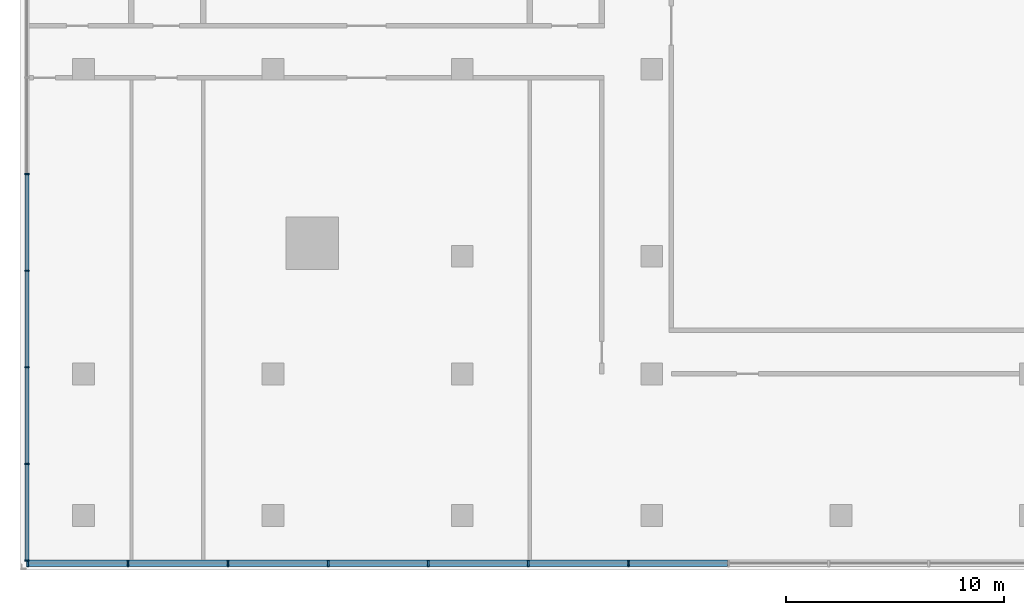
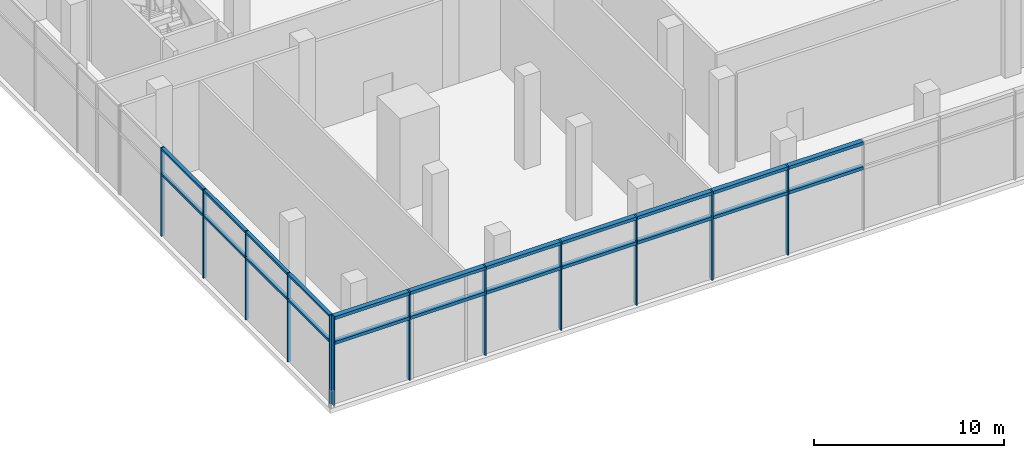
# One storey, part 2 of 21: 34 members, 2 elements without a shape of their own.
"""IFC4 building model written with IfcOpenShell, lengths in metres."""

from ifc_helpers import new_model, si_unit, direction, frame, origin, origin_2d, place, context, subcontext, project, spatial, rectangle, extrude, material, material_profile, profile_set, type_object, element, aggregate, save


model = new_model("IFC4")

# Units and contexts
model_context = context("Model", 3, precision=1e-05, world=origin(), true_north=direction((0.0, 1.0)))
body_context = subcontext(model_context, "Body", "Model", "MODEL_VIEW")
ifc_project = project(units=[si_unit("LENGTHUNIT", "METRE"), si_unit("AREAUNIT", "SQUARE_METRE"), si_unit("VOLUMEUNIT", "CUBIC_METRE"), si_unit("PLANEANGLEUNIT", "RADIAN"), si_unit("MASSUNIT", "GRAM", prefix="KILO")], contexts=[model_context])

# Site, building, storey
site_placement = place(None, origin())
site = spatial("IfcSite", under=ifc_project, at=site_placement, CompositionType="ELEMENT")
building_placement = place(site_placement, origin())
building = spatial("IfcBuilding", under=site, at=building_placement, Name="Bicima Exchange Tower", CompositionType="ELEMENT")
storey_placement = place(building_placement, frame((0.0, 0.0, 8.0)))
storey = spatial("IfcBuildingStorey", under=building, at=storey_placement, Name="L01", CompositionType="ELEMENT", Elevation=8.0)

# Curtain wall, members
ifc_material_1 = material(Name="Stainless steel", Category="steel")
curtain_wall_type_1 = type_object("IfcCurtainWallType", Name="Hall structural glazing", PredefinedType="NOTDEFINED", material=ifc_material_1)
curtain_wall_1_placement = place(storey_placement, origin())
curtain_wall_1 = element("IfcCurtainWall", 1, at=curtain_wall_1_placement, inside=storey, type_object=curtain_wall_type_1, Name="Podium glazing L01 south 1", PredefinedType="NOTDEFINED")
ifc_material_profile_1 = material_profile(ifc_material_1, rectangle(XDim=0.300048828125, YDim=0.080078125, at=origin_2d()))
ifc_profile_set_1 = profile_set([ifc_material_profile_1], Name="Stainless steel")
member_type_1 = type_object("IfcMemberType", Name="Hall structural glazing mullion 80 x 300", PredefinedType="MULLION", material=ifc_profile_set_1)
member_1_placement = place(storey_placement, frame((-46.06005859375, -53.699951171875, 0.0), z_axis=(0.0, 0.0, 1.0), x_axis=(0.0, 1.0, 0.0)))
member_1 = element("IfcMember", 2, at=member_1_placement, type_object=member_type_1, Name="Hall structural glazing mullion 1", PredefinedType="MULLION", context=body_context, shape_type="SweptSolid", body=[
    extrude(rectangle(XDim=0.300048828125, YDim=0.080078125, at=origin_2d()), origin(), (0.0, 0.0, 1.0), 5.699951171875),
])
member_2_placement = place(storey_placement, frame((-41.46142578125, -53.699951171875, 0.0), z_axis=(0.0, 0.0, 1.0), x_axis=(0.0, 1.0, 0.0)))
member_2 = element("IfcMember", 3, at=member_2_placement, type_object=member_type_1, Name="Hall structural glazing mullion 2", PredefinedType="MULLION", context=body_context, shape_type="SweptSolid", body=[
    extrude(rectangle(XDim=0.300048828125, YDim=0.080078125, at=origin_2d()), origin(), (0.0, 0.0, 1.0), 5.699951171875),
])
member_3_placement = place(storey_placement, frame((-36.863037109375, -53.699951171875, 0.0), z_axis=(0.0, 0.0, 1.0), x_axis=(0.0, 1.0, 0.0)))
member_3 = element("IfcMember", 4, at=member_3_placement, type_object=member_type_1, Name="Hall structural glazing mullion 3", PredefinedType="MULLION", context=body_context, shape_type="SweptSolid", body=[
    extrude(rectangle(XDim=0.300048828125, YDim=0.080078125, at=origin_2d()), origin(), (0.0, 0.0, 1.0), 5.699951171875),
])
member_4_placement = place(storey_placement, frame((-32.264404296875, -53.699951171875, 0.0), z_axis=(0.0, 0.0, 1.0), x_axis=(0.0, 1.0, 0.0)))
member_4 = element("IfcMember", 5, at=member_4_placement, type_object=member_type_1, Name="Hall structural glazing mullion 4", PredefinedType="MULLION", context=body_context, shape_type="SweptSolid", body=[
    extrude(rectangle(XDim=0.300048828125, YDim=0.080078125, at=origin_2d()), origin(), (0.0, 0.0, 1.0), 5.699951171875),
])
member_5_placement = place(storey_placement, frame((-27.666015625, -53.699951171875, 0.0), z_axis=(0.0, 0.0, 1.0), x_axis=(0.0, 1.0, 0.0)))
member_5 = element("IfcMember", 6, at=member_5_placement, type_object=member_type_1, Name="Hall structural glazing mullion 5", PredefinedType="MULLION", context=body_context, shape_type="SweptSolid", body=[
    extrude(rectangle(XDim=0.300048828125, YDim=0.080078125, at=origin_2d()), origin(), (0.0, 0.0, 1.0), 5.699951171875),
])
member_6_placement = place(storey_placement, frame((-23.0673828125, -53.699951171875, 0.0), z_axis=(0.0, 0.0, 1.0), x_axis=(0.0, 1.0, 0.0)))
member_6 = element("IfcMember", 7, at=member_6_placement, type_object=member_type_1, Name="Hall structural glazing mullion 6", PredefinedType="MULLION", context=body_context, shape_type="SweptSolid", body=[
    extrude(rectangle(XDim=0.300048828125, YDim=0.080078125, at=origin_2d()), origin(), (0.0, 0.0, 1.0), 5.699951171875),
])
member_7_placement = place(storey_placement, frame((-18.468994140625, -53.699951171875, 0.0), z_axis=(0.0, 0.0, 1.0), x_axis=(0.0, 1.0, 0.0)))
member_7 = element("IfcMember", 8, at=member_7_placement, type_object=member_type_1, Name="Hall structural glazing mullion 7", PredefinedType="MULLION", context=body_context, shape_type="SweptSolid", body=[
    extrude(rectangle(XDim=0.300048828125, YDim=0.080078125, at=origin_2d()), origin(), (0.0, 0.0, 1.0), 5.699951171875),
])
ifc_material_profile_2 = material_profile(ifc_material_1, rectangle(XDim=0.300048828125, YDim=0.199951171875, at=origin_2d()))
ifc_profile_set_2 = profile_set([ifc_material_profile_2], Name="Stainless steel")
member_type_2 = type_object("IfcMemberType", Name="Hall structural glazing transom 200 x 300", PredefinedType="USERDEFINED", material=ifc_profile_set_2)
member_8_placement = place(storey_placement, frame((-46.02001953125, -53.699951171875, 4.0), z_axis=(1.0, 0.0, 0.0), x_axis=(0.0, 1.0, 0.0)))
member_8 = element("IfcMember", 9, at=member_8_placement, type_object=member_type_2, Name="Hall structural glazing transom 1.1", ObjectType="TRANSOM", PredefinedType="USERDEFINED", context=body_context, shape_type="SweptSolid", body=[
    extrude(rectangle(XDim=0.300048828125, YDim=0.199951171875, at=origin_2d()), origin(), (0.0, 0.0, 1.0), 4.5185546875),
])
member_9_placement = place(storey_placement, frame((-46.02001953125, -53.699951171875, 5.60009765625), z_axis=(1.0, 0.0, 0.0), x_axis=(0.0, 1.0, 0.0)))
member_9 = element("IfcMember", 10, at=member_9_placement, type_object=member_type_2, Name="Hall structural glazing transom 1.2", ObjectType="TRANSOM", PredefinedType="USERDEFINED", context=body_context, shape_type="SweptSolid", body=[
    extrude(rectangle(XDim=0.300048828125, YDim=0.199951171875, at=origin_2d()), origin(), (0.0, 0.0, 1.0), 4.5185546875),
])
member_10_placement = place(storey_placement, frame((-41.42138671875, -53.699951171875, 4.0), z_axis=(1.0, 0.0, 0.0), x_axis=(0.0, 1.0, 0.0)))
member_10 = element("IfcMember", 11, at=member_10_placement, type_object=member_type_2, Name="Hall structural glazing transom 2.1", ObjectType="TRANSOM", PredefinedType="USERDEFINED", context=body_context, shape_type="SweptSolid", body=[
    extrude(rectangle(XDim=0.300048828125, YDim=0.199951171875, at=origin_2d()), origin(), (0.0, 0.0, 1.0), 4.518310546875),
])
member_11_placement = place(storey_placement, frame((-41.42138671875, -53.699951171875, 5.60009765625), z_axis=(1.0, 0.0, 0.0), x_axis=(0.0, 1.0, 0.0)))
member_11 = element("IfcMember", 12, at=member_11_placement, type_object=member_type_2, Name="Hall structural glazing transom 2.2", ObjectType="TRANSOM", PredefinedType="USERDEFINED", context=body_context, shape_type="SweptSolid", body=[
    extrude(rectangle(XDim=0.300048828125, YDim=0.199951171875, at=origin_2d()), origin(), (0.0, 0.0, 1.0), 4.518310546875),
])
member_12_placement = place(storey_placement, frame((-36.822998046875, -53.699951171875, 4.0), z_axis=(1.0, 0.0, 0.0), x_axis=(0.0, 1.0, 0.0)))
member_12 = element("IfcMember", 13, at=member_12_placement, type_object=member_type_2, Name="Hall structural glazing transom 3.1", ObjectType="TRANSOM", PredefinedType="USERDEFINED", context=body_context, shape_type="SweptSolid", body=[
    extrude(rectangle(XDim=0.300048828125, YDim=0.199951171875, at=origin_2d()), origin(), (0.0, 0.0, 1.0), 4.5185546875),
])
member_13_placement = place(storey_placement, frame((-36.822998046875, -53.699951171875, 5.60009765625), z_axis=(1.0, 0.0, 0.0), x_axis=(0.0, 1.0, 0.0)))
member_13 = element("IfcMember", 14, at=member_13_placement, type_object=member_type_2, Name="Hall structural glazing transom 3.2", ObjectType="TRANSOM", PredefinedType="USERDEFINED", context=body_context, shape_type="SweptSolid", body=[
    extrude(rectangle(XDim=0.300048828125, YDim=0.199951171875, at=origin_2d()), origin(), (0.0, 0.0, 1.0), 4.5185546875),
])
member_14_placement = place(storey_placement, frame((-32.224609375, -53.699951171875, 4.0), z_axis=(1.0, 0.0, 0.0), x_axis=(0.0, 1.0, 0.0)))
member_14 = element("IfcMember", 15, at=member_14_placement, type_object=member_type_2, Name="Hall structural glazing transom 4.1", ObjectType="TRANSOM", PredefinedType="USERDEFINED", context=body_context, shape_type="SweptSolid", body=[
    extrude(rectangle(XDim=0.300048828125, YDim=0.199951171875, at=origin_2d()), origin(), (0.0, 0.0, 1.0), 4.5185546875),
])
member_15_placement = place(storey_placement, frame((-32.224609375, -53.699951171875, 5.60009765625), z_axis=(1.0, 0.0, 0.0), x_axis=(0.0, 1.0, 0.0)))
member_15 = element("IfcMember", 16, at=member_15_placement, type_object=member_type_2, Name="Hall structural glazing transom 4.2", ObjectType="TRANSOM", PredefinedType="USERDEFINED", context=body_context, shape_type="SweptSolid", body=[
    extrude(rectangle(XDim=0.300048828125, YDim=0.199951171875, at=origin_2d()), origin(), (0.0, 0.0, 1.0), 4.5185546875),
])
member_16_placement = place(storey_placement, frame((-27.6259765625, -53.699951171875, 4.0), z_axis=(1.0, 0.0, 0.0), x_axis=(0.0, 1.0, 0.0)))
member_16 = element("IfcMember", 17, at=member_16_placement, type_object=member_type_2, Name="Hall structural glazing transom 5.1", ObjectType="TRANSOM", PredefinedType="USERDEFINED", context=body_context, shape_type="SweptSolid", body=[
    extrude(rectangle(XDim=0.300048828125, YDim=0.199951171875, at=origin_2d()), origin(), (0.0, 0.0, 1.0), 4.5185546875),
])
member_17_placement = place(storey_placement, frame((-27.6259765625, -53.699951171875, 5.60009765625), z_axis=(1.0, 0.0, 0.0), x_axis=(0.0, 1.0, 0.0)))
member_17 = element("IfcMember", 18, at=member_17_placement, type_object=member_type_2, Name="Hall structural glazing transom 5.2", ObjectType="TRANSOM", PredefinedType="USERDEFINED", context=body_context, shape_type="SweptSolid", body=[
    extrude(rectangle(XDim=0.300048828125, YDim=0.199951171875, at=origin_2d()), origin(), (0.0, 0.0, 1.0), 4.5185546875),
])
member_18_placement = place(storey_placement, frame((-23.027587890625, -53.699951171875, 4.0), z_axis=(1.0, 0.0, 0.0), x_axis=(0.0, 1.0, 0.0)))
member_18 = element("IfcMember", 19, at=member_18_placement, type_object=member_type_2, Name="Hall structural glazing transom 6.1", ObjectType="TRANSOM", PredefinedType="USERDEFINED", context=body_context, shape_type="SweptSolid", body=[
    extrude(rectangle(XDim=0.300048828125, YDim=0.199951171875, at=origin_2d()), origin(), (0.0, 0.0, 1.0), 4.5185546875),
])
member_19_placement = place(storey_placement, frame((-23.027587890625, -53.699951171875, 5.60009765625), z_axis=(1.0, 0.0, 0.0), x_axis=(0.0, 1.0, 0.0)))
member_19 = element("IfcMember", 20, at=member_19_placement, type_object=member_type_2, Name="Hall structural glazing transom 6.2", ObjectType="TRANSOM", PredefinedType="USERDEFINED", context=body_context, shape_type="SweptSolid", body=[
    extrude(rectangle(XDim=0.300048828125, YDim=0.199951171875, at=origin_2d()), origin(), (0.0, 0.0, 1.0), 4.5185546875),
])
member_20_placement = place(storey_placement, frame((-18.428955078125, -53.699951171875, 4.0), z_axis=(1.0, 0.0, 0.0), x_axis=(0.0, 1.0, 0.0)))
member_20 = element("IfcMember", 21, at=member_20_placement, type_object=member_type_2, Name="Hall structural glazing transom 7.1", ObjectType="TRANSOM", PredefinedType="USERDEFINED", context=body_context, shape_type="SweptSolid", body=[
    extrude(rectangle(XDim=0.300048828125, YDim=0.199951171875, at=origin_2d()), origin(), (0.0, 0.0, 1.0), 4.5185546875),
])
member_21_placement = place(storey_placement, frame((-18.428955078125, -53.699951171875, 5.60009765625), z_axis=(1.0, 0.0, 0.0), x_axis=(0.0, 1.0, 0.0)))
member_21 = element("IfcMember", 22, at=member_21_placement, type_object=member_type_2, Name="Hall structural glazing transom 7.2", ObjectType="TRANSOM", PredefinedType="USERDEFINED", context=body_context, shape_type="SweptSolid", body=[
    extrude(rectangle(XDim=0.300048828125, YDim=0.199951171875, at=origin_2d()), origin(), (0.0, 0.0, 1.0), 4.5185546875),
])
aggregate(curtain_wall_1, [member_1, member_2, member_3, member_4, member_5, member_6, member_7, member_8, member_9, member_10, member_11, member_12, member_13, member_14, member_15, member_16, member_17, member_18, member_19, member_20, member_21])

ifc_material_2 = material(Name="Anodised bronze aluminium", Category="aluminium")
curtain_wall_type_2 = type_object("IfcCurtainWallType", Name="Lobby glazing", PredefinedType="NOTDEFINED", material=ifc_material_2)
curtain_wall_2_placement = place(storey_placement, origin())
curtain_wall_2 = element("IfcCurtainWall", 23, at=curtain_wall_2_placement, inside=storey, type_object=curtain_wall_type_2, Name="Podium glazing L01 west 1", PredefinedType="NOTDEFINED")
ifc_material_profile_3 = material_profile(ifc_material_2, rectangle(XDim=0.199951171875, YDim=0.06005859375, at=origin_2d()))
ifc_profile_set_3 = profile_set([ifc_material_profile_3], Name="Anodised bronze aluminium")
member_type_3 = type_object("IfcMemberType", Name="Lobby glazing mullion 60 x 200", PredefinedType="MULLION", material=ifc_profile_set_3)
member_22_placement = place(storey_placement, frame((-46.10009765625, -35.8232421875, 0.0), z_axis=(0.0, 0.0, 1.0), x_axis=(1.0, 0.0, 0.0)))
member_22 = element("IfcMember", 24, at=member_22_placement, type_object=member_type_3, Name="Lobby glazing mullion 9", PredefinedType="MULLION", context=body_context, shape_type="SweptSolid", body=[
    extrude(rectangle(XDim=0.199951171875, YDim=0.06005859375, at=origin_2d()), origin(), (0.0, 0.0, 1.0), 5.699951171875),
])
member_23_placement = place(storey_placement, frame((-46.10009765625, -40.260009765625, 0.0), z_axis=(0.0, 0.0, 1.0), x_axis=(1.0, 0.0, 0.0)))
member_23 = element("IfcMember", 25, at=member_23_placement, type_object=member_type_3, Name="Lobby glazing mullion 10", PredefinedType="MULLION", context=body_context, shape_type="SweptSolid", body=[
    extrude(rectangle(XDim=0.199951171875, YDim=0.06005859375, at=origin_2d()), origin(), (0.0, 0.0, 1.0), 5.699951171875),
])
member_24_placement = place(storey_placement, frame((-46.10009765625, -44.69677734375, 0.0), z_axis=(0.0, 0.0, 1.0), x_axis=(1.0, 0.0, 0.0)))
member_24 = element("IfcMember", 26, at=member_24_placement, type_object=member_type_3, Name="Lobby glazing mullion 11", PredefinedType="MULLION", context=body_context, shape_type="SweptSolid", body=[
    extrude(rectangle(XDim=0.199951171875, YDim=0.06005859375, at=origin_2d()), origin(), (0.0, 0.0, 1.0), 5.699951171875),
])
member_25_placement = place(storey_placement, frame((-46.10009765625, -49.13330078125, 0.0), z_axis=(0.0, 0.0, 1.0), x_axis=(1.0, 0.0, 0.0)))
member_25 = element("IfcMember", 27, at=member_25_placement, type_object=member_type_3, Name="Lobby glazing mullion 12", PredefinedType="MULLION", context=body_context, shape_type="SweptSolid", body=[
    extrude(rectangle(XDim=0.199951171875, YDim=0.06005859375, at=origin_2d()), origin(), (0.0, 0.0, 1.0), 5.699951171875),
])
member_26_placement = place(storey_placement, frame((-46.10009765625, -53.570068359375, 0.0), z_axis=(0.0, 0.0, 1.0), x_axis=(1.0, 0.0, 0.0)))
member_26 = element("IfcMember", 28, at=member_26_placement, type_object=member_type_3, Name="Lobby glazing mullion 13", PredefinedType="MULLION", context=body_context, shape_type="SweptSolid", body=[
    extrude(rectangle(XDim=0.199951171875, YDim=0.06005859375, at=origin_2d()), origin(), (0.0, 0.0, 1.0), 5.699951171875),
])
ifc_material_profile_4 = material_profile(ifc_material_2, rectangle(XDim=0.199951171875, YDim=0.139892578125, at=origin_2d()))
ifc_profile_set_4 = profile_set([ifc_material_profile_4], Name="Anodised bronze aluminium")
member_type_4 = type_object("IfcMemberType", Name="Lobby glazing transom 140 x 200", PredefinedType="USERDEFINED", material=ifc_profile_set_4)
member_27_placement = place(storey_placement, frame((-46.10009765625, -35.853271484375, 4.0), z_axis=(0.0, -1.0, 0.0), x_axis=(1.0, 0.0, 0.0)))
member_27 = element("IfcMember", 29, at=member_27_placement, type_object=member_type_4, Name="Lobby glazing transom 9.1", ObjectType="TRANSOM", PredefinedType="USERDEFINED", context=body_context, shape_type="SweptSolid", body=[
    extrude(rectangle(XDim=0.199951171875, YDim=0.139892578125, at=origin_2d()), origin(), (0.0, 0.0, 1.0), 4.376708984375),
])
member_28_placement = place(storey_placement, frame((-46.10009765625, -35.853271484375, 5.6298828125), z_axis=(0.0, -1.0, 0.0), x_axis=(1.0, 0.0, 0.0)))
member_28 = element("IfcMember", 30, at=member_28_placement, type_object=member_type_4, Name="Lobby glazing transom 9.2", ObjectType="TRANSOM", PredefinedType="USERDEFINED", context=body_context, shape_type="SweptSolid", body=[
    extrude(rectangle(XDim=0.199951171875, YDim=0.139892578125, at=origin_2d()), origin(), (0.0, 0.0, 1.0), 4.376708984375),
])
member_29_placement = place(storey_placement, frame((-46.10009765625, -40.2900390625, 4.0), z_axis=(0.0, -1.0, 0.0), x_axis=(1.0, 0.0, 0.0)))
member_29 = element("IfcMember", 31, at=member_29_placement, type_object=member_type_4, Name="Lobby glazing transom 10.1", ObjectType="TRANSOM", PredefinedType="USERDEFINED", context=body_context, shape_type="SweptSolid", body=[
    extrude(rectangle(XDim=0.199951171875, YDim=0.139892578125, at=origin_2d()), origin(), (0.0, 0.0, 1.0), 4.376708984375),
])
member_30_placement = place(storey_placement, frame((-46.10009765625, -40.2900390625, 5.6298828125), z_axis=(0.0, -1.0, 0.0), x_axis=(1.0, 0.0, 0.0)))
member_30 = element("IfcMember", 32, at=member_30_placement, type_object=member_type_4, Name="Lobby glazing transom 10.2", ObjectType="TRANSOM", PredefinedType="USERDEFINED", context=body_context, shape_type="SweptSolid", body=[
    extrude(rectangle(XDim=0.199951171875, YDim=0.139892578125, at=origin_2d()), origin(), (0.0, 0.0, 1.0), 4.376708984375),
])
member_31_placement = place(storey_placement, frame((-46.10009765625, -44.726806640625, 4.0), z_axis=(0.0, -1.0, 0.0), x_axis=(1.0, 0.0, 0.0)))
member_31 = element("IfcMember", 33, at=member_31_placement, type_object=member_type_4, Name="Lobby glazing transom 11.1", ObjectType="TRANSOM", PredefinedType="USERDEFINED", context=body_context, shape_type="SweptSolid", body=[
    extrude(rectangle(XDim=0.199951171875, YDim=0.139892578125, at=origin_2d()), origin(), (0.0, 0.0, 1.0), 4.37646484375),
])
member_32_placement = place(storey_placement, frame((-46.10009765625, -44.726806640625, 5.6298828125), z_axis=(0.0, -1.0, 0.0), x_axis=(1.0, 0.0, 0.0)))
member_32 = element("IfcMember", 34, at=member_32_placement, type_object=member_type_4, Name="Lobby glazing transom 11.2", ObjectType="TRANSOM", PredefinedType="USERDEFINED", context=body_context, shape_type="SweptSolid", body=[
    extrude(rectangle(XDim=0.199951171875, YDim=0.139892578125, at=origin_2d()), origin(), (0.0, 0.0, 1.0), 4.37646484375),
])
member_33_placement = place(storey_placement, frame((-46.10009765625, -49.163330078125, 4.0), z_axis=(0.0, -1.0, 0.0), x_axis=(1.0, 0.0, 0.0)))
member_33 = element("IfcMember", 35, at=member_33_placement, type_object=member_type_4, Name="Lobby glazing transom 12.1", ObjectType="TRANSOM", PredefinedType="USERDEFINED", context=body_context, shape_type="SweptSolid", body=[
    extrude(rectangle(XDim=0.199951171875, YDim=0.139892578125, at=origin_2d()), origin(), (0.0, 0.0, 1.0), 4.376708984375),
])
member_34_placement = place(storey_placement, frame((-46.10009765625, -49.163330078125, 5.6298828125), z_axis=(0.0, -1.0, 0.0), x_axis=(1.0, 0.0, 0.0)))
member_34 = element("IfcMember", 36, at=member_34_placement, type_object=member_type_4, Name="Lobby glazing transom 12.2", ObjectType="TRANSOM", PredefinedType="USERDEFINED", context=body_context, shape_type="SweptSolid", body=[
    extrude(rectangle(XDim=0.199951171875, YDim=0.139892578125, at=origin_2d()), origin(), (0.0, 0.0, 1.0), 4.376708984375),
])
aggregate(curtain_wall_2, [member_22, member_23, member_24, member_25, member_26, member_27, member_28, member_29, member_30, member_31, member_32, member_33, member_34])

save(model, "model.ifc")
